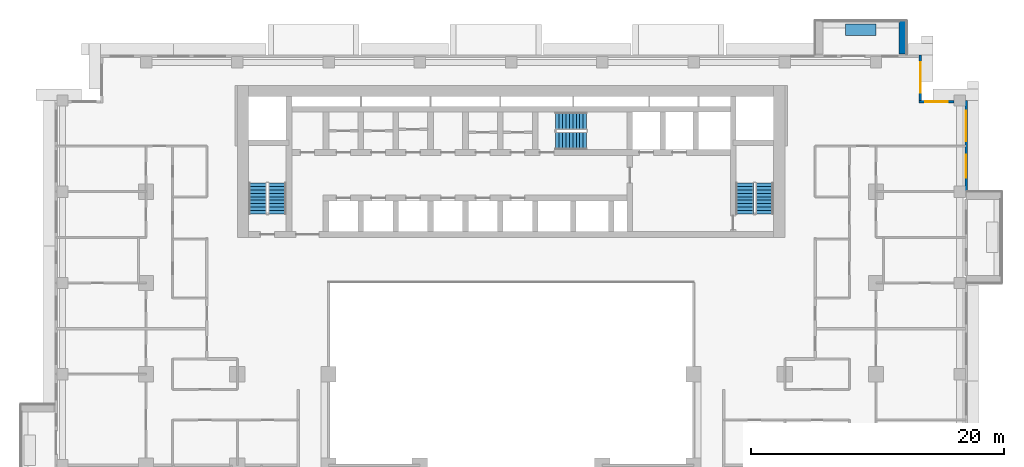
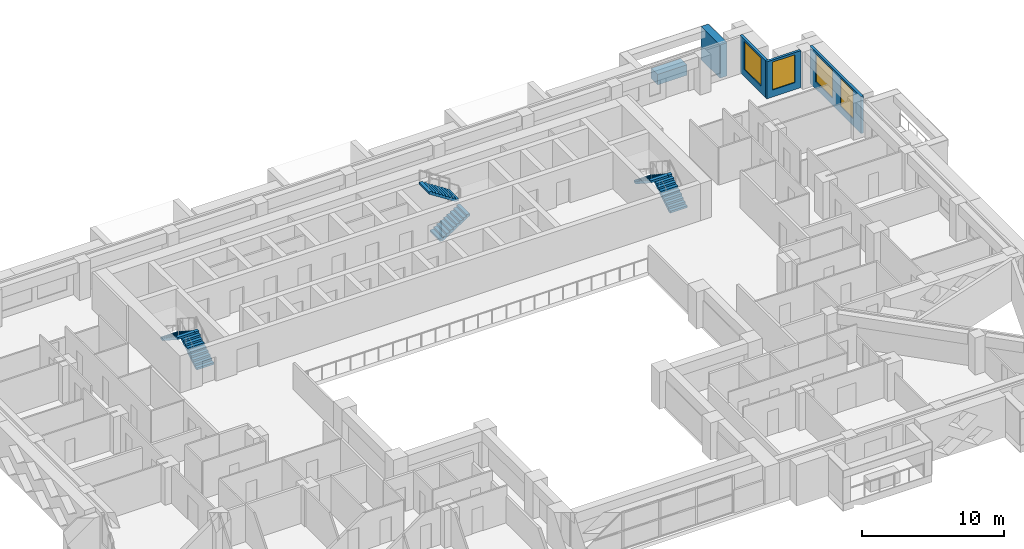
# One storey, part 13 of 17: 6 stair flights, 5 walls, 4 windows, 4 openings, 3 elements without a shape of their own.
"""IFC4 building model written with IfcOpenShell, lengths in metres."""

import ifcopenshell
import ifcopenshell.guid

model = None  # the IFC model being written
_history = None  # IfcOwnerHistory: only IFC2X3 demands one
_inside = {}  # id of a spatial element -> (the spatial element, [elements in it])
_under = {}  # id of a project, library or spatial element -> (it, [spatial elements below it])
_declared = {}  # id of a project -> (the project, [libraries it declares])
_typed = {}  # id of a type object -> (the type object, [elements of that type])
_made_of = {}  # id of a material, layer set ... -> (it, [elements and type objects made of it])


def new_model(schema):
    """Start an empty IFC model of exactly this schema.

    Asked for "IFC4X3", IfcOpenShell would pick the latest addendum, in which some entities
    have other attributes; the version numbers below select the first issue.
    IFC2X3 requires an IfcOwnerHistory on every rooted entity: one is made here for all.
    """
    global model, _history
    if schema == "IFC4X3":
        model = ifcopenshell.file(schema_version=(4, 3, 0, 0))
    else:
        model = ifcopenshell.file(schema=schema)
    _inside.clear()
    _under.clear()
    _declared.clear()
    _typed.clear()
    _made_of.clear()
    _history = None
    if model.schema == "IFC2X3":
        org = make("IfcOrganization", Name="unknown")
        user = make(
            "IfcPersonAndOrganization",
            ThePerson=make("IfcPerson", FamilyName="unknown"),
            TheOrganization=org,
        )
        app = make(
            "IfcApplication",
            ApplicationDeveloper=org,
            Version="unknown",
            ApplicationFullName="unknown",
            ApplicationIdentifier="unknown",
        )
        _history = make(
            "IfcOwnerHistory",
            OwningUser=user,
            OwningApplication=app,
            ChangeAction="ADDED",
            CreationDate=0,
        )
    return model


def make(cls, **values):
    """One entity of the class cls with the attributes given. An attribute that is None is left unset."""
    return model.create_entity(
        cls, **{name: value for name, value in values.items() if value is not None}
    )


def rooted(cls, **values):
    """An entity with a GlobalId (a new one), such as an element, a storey or a relation."""
    return make(cls, GlobalId=ifcopenshell.guid.new(), OwnerHistory=_history, **values)


def si_unit(unit_type, name, prefix=None):
    """IfcSIUnit, for example si_unit("LENGTHUNIT", "METRE", prefix="MILLI")."""
    return make("IfcSIUnit", UnitType=unit_type, Prefix=prefix, Name=name)


def assignment(units):
    """IfcUnitAssignment: the units of a project."""
    return None if units is None else make("IfcUnitAssignment", Units=units)


def point(xyz):
    """IfcCartesianPoint."""
    return None if xyz is None else make("IfcCartesianPoint", Coordinates=xyz)


def direction(xyz):
    """IfcDirection."""
    return None if xyz is None else make("IfcDirection", DirectionRatios=xyz)


def frame(location, z_axis=None, x_axis=None):
    """IfcAxis2Placement3D, a coordinate frame: its origin and axes. An axis left out is left unset."""
    return make(
        "IfcAxis2Placement3D",
        Location=point(location),
        Axis=direction(z_axis),
        RefDirection=direction(x_axis),
    )


def frame_2d(location, x_axis=None):
    """IfcAxis2Placement2D, a coordinate frame in the plane: its origin and x axis."""
    return make(
        "IfcAxis2Placement2D", Location=point(location), RefDirection=direction(x_axis)
    )


def origin():
    """The frame at (0, 0, 0) with its axes left unset."""
    return frame((0.0, 0.0, 0.0))


def place(relative_to, where):
    """IfcLocalPlacement: puts the frame where relative to a parent placement (None: the world)."""
    return make(
        "IfcLocalPlacement", PlacementRelTo=relative_to, RelativePlacement=where
    )


def context(
    kind, dimensions, precision=None, world=None, true_north=None, identifier=None
):
    """IfcGeometricRepresentationContext, for example the 3D "Model" context."""
    return make(
        "IfcGeometricRepresentationContext",
        ContextIdentifier=identifier,
        ContextType=kind,
        CoordinateSpaceDimension=dimensions,
        Precision=precision,
        WorldCoordinateSystem=world,
        TrueNorth=true_north,
    )


def subcontext(parent, identifier, kind, view, scale=None):
    """IfcGeometricRepresentationSubContext, for example "Body" below "Model"."""
    return make(
        "IfcGeometricRepresentationSubContext",
        ContextIdentifier=identifier,
        ContextType=kind,
        ParentContext=parent,
        TargetScale=scale,
        TargetView=view,
    )


def project(units=None, contexts=None):
    """IfcProject with its units and contexts."""
    return rooted(
        "IfcProject",
        Name="project",
        RepresentationContexts=contexts,
        UnitsInContext=assignment(units),
    )


def spatial(cls, under=None, at=None, **own):
    """A site, building, storey or space (cls), placed at a placement, below another one or the project."""
    s = rooted(cls, ObjectPlacement=at, **own)
    if under is not None:
        _under.setdefault(under.id(), (under, []))[1].append(s)
    return s


def polyline(points):
    """IfcPolyline through the points."""
    return make("IfcPolyline", Points=[point(p) for p in points])


def profile(cls, at=None, kind="AREA", **sizes):
    """A parametric profile (cls). Its sizes go by their IFC names, for example OverallWidth=200.0."""
    return make(cls, ProfileType=kind, Position=at, **sizes)


def rectangle(**sizes):
    """IfcRectangleProfileDef."""
    return profile("IfcRectangleProfileDef", **sizes)


def outline(outer, holes=None, kind="AREA"):
    """IfcArbitraryClosedProfileDef: a profile drawn as a closed curve; with holes, ...WithVoids."""
    if holes is None:
        return make("IfcArbitraryClosedProfileDef", ProfileType=kind, OuterCurve=outer)
    return make(
        "IfcArbitraryProfileDefWithVoids",
        ProfileType=kind,
        OuterCurve=outer,
        InnerCurves=holes,
    )


def extrude(swept, where, along, depth):
    """IfcExtrudedAreaSolid: the profile swept, set in the frame where, extruded along a direction by depth."""
    return make(
        "IfcExtrudedAreaSolid",
        SweptArea=swept,
        Position=where,
        ExtrudedDirection=direction(along),
        Depth=depth,
    )


def shape(context_of_items, identifier, shape_type, items):
    """IfcShapeRepresentation: the items that make up one representation, for example the "Body"."""
    return make(
        "IfcShapeRepresentation",
        ContextOfItems=context_of_items,
        RepresentationIdentifier=identifier,
        RepresentationType=shape_type,
        Items=items,
    )


def material(Name=None, Category=None):
    """IfcMaterial."""
    return make("IfcMaterial", Name=Name, Category=Category)


def layer(
    of_material, thickness, ventilated=None, Name=None, Category=None, Priority=None
):
    """IfcMaterialLayer: one layer of a wall or slab, of a material (None: an air gap)."""
    return make(
        "IfcMaterialLayer",
        Material=of_material,
        LayerThickness=thickness,
        IsVentilated=ventilated,
        Name=Name,
        Category=Category,
        Priority=Priority,
    )


def layer_set(layers, Name=None):
    """IfcMaterialLayerSet."""
    return make("IfcMaterialLayerSet", MaterialLayers=layers, LayerSetName=Name)


def made_of(thing, what):
    """Note that an element or type object is made of a material, layer set ...; save() writes the relation."""
    if what is not None:
        _made_of.setdefault(what.id(), (what, []))[1].append(thing)
    return thing


def type_object(cls, material=None, **own):
    """A type object (cls), such as IfcWallType, which elements share."""
    return made_of(rooted(cls, **own), material)


def element(
    cls,
    number,
    at=None,
    inside=None,
    cuts=None,
    type_object=None,
    material=None,
    context=None,
    identifier="Body",
    shape_type=None,
    held_by="IfcProductDefinitionShape",
    body=None,
    shapes=None,
    **own,
):
    """One element of the class cls, such as IfcWall. Its Tag is "e" and its number.

    at: its placement. inside: the storey or other place that contains it. cuts: it is an
    opening in that element (IfcRelVoidsElement). A single representation is given by context,
    identifier, shape_type and body (its items); several are given by shapes. held_by: the class
    of the entity that holds the representations. save() writes the other relations.
    """
    e = rooted(cls, Tag="e%d" % number, ObjectPlacement=at, **own)
    if body is not None:
        shapes = [shape(context, identifier, shape_type, body)]
    if shapes is not None:
        e.Representation = make(held_by, Representations=shapes)
    if inside is not None:
        _inside.setdefault(inside.id(), (inside, []))[1].append(e)
    if cuts is not None:
        rooted(
            "IfcRelVoidsElement", RelatingBuildingElement=cuts, RelatedOpeningElement=e
        )
    if type_object is not None:
        _typed.setdefault(type_object.id(), (type_object, []))[1].append(e)
    return made_of(e, material)


def fill(opening, filler):
    """IfcRelFillsElement: the door or window that sits in an opening."""
    return rooted(
        "IfcRelFillsElement",
        RelatingOpeningElement=opening,
        RelatedBuildingElement=filler,
    )


def aggregate(whole, parts):
    """IfcRelAggregates: a whole, such as a stair, and the parts it consists of."""
    return rooted("IfcRelAggregates", RelatingObject=whole, RelatedObjects=parts)


def save(model, path):
    """Write the relations noted so far, then the file.

    IfcRelAggregates (storeys below a building ...), IfcRelContainedInSpatialStructure (elements
    in a storey), IfcRelDefinesByType, IfcRelAssociatesMaterial and IfcRelDeclares: one each for
    every whole, place, type object, material and project.
    """
    for whole, parts in _under.values():
        aggregate(whole, parts)
    for where, things in _inside.values():
        rooted(
            "IfcRelContainedInSpatialStructure",
            RelatedElements=things,
            RelatingStructure=where,
        )
    for kind, things in _typed.values():
        rooted("IfcRelDefinesByType", RelatedObjects=things, RelatingType=kind)
    for what, things in _made_of.values():
        rooted("IfcRelAssociatesMaterial", RelatedObjects=things, RelatingMaterial=what)
    for by, libraries in _declared.values():
        rooted("IfcRelDeclares", RelatingContext=by, RelatedDefinitions=libraries)
    model.write(path)


model = new_model("IFC4")

# Units and contexts
model_context = context("Model", 3, precision=1e-05, world=origin(), true_north=direction((0.0, 1.0)))
body_context = subcontext(model_context, "Body", "Model", "MODEL_VIEW")
ifc_project = project(units=[si_unit("LENGTHUNIT", "METRE"), si_unit("AREAUNIT", "SQUARE_METRE"), si_unit("VOLUMEUNIT", "CUBIC_METRE"), si_unit("PLANEANGLEUNIT", "RADIAN"), si_unit("MASSUNIT", "GRAM", prefix="KILO")], contexts=[model_context])

# Site, building, storey
site_placement = place(None, origin())
site = spatial("IfcSite", under=ifc_project, at=site_placement, CompositionType="ELEMENT")
building_placement = place(site_placement, origin())
building = spatial("IfcBuilding", under=site, at=building_placement, Name="Saffron Iwan Residences", CompositionType="ELEMENT")
storey_placement = place(building_placement, frame((0.0, 0.0, 97.0)))
storey = spatial("IfcBuildingStorey", under=building, at=storey_placement, Name="L25", CompositionType="ELEMENT", Elevation=97.0)

# Walls
ifc_material_1 = material(Name="Concrete C50/60 white painted", Category="concrete")
ifc_layer_1 = layer(ifc_material_1, 0.60009765625)
ifc_layer_set_1 = layer_set([ifc_layer_1], Name="Concrete C50/60 white painted")
wall_type_1 = type_object("IfcWallType", Name="BALCONY FIN 600", PredefinedType="SOLIDWALL", material=ifc_layer_set_1)
wall_1_placement = place(storey_placement, frame((81.300048828125, 80.449951171875, 0.0), z_axis=(0.0, 0.0, 1.0), x_axis=(0.0, 1.0, 0.0)))
element("IfcWall", 1, at=wall_1_placement, inside=storey, type_object=wall_type_1, Name="Balcony fin L25 F5-0a", PredefinedType="SOLIDWALL", context=body_context, shape_type="SweptSolid", body=[
    extrude(rectangle(XDim=2.650146484375, YDim=0.60009765625, at=frame_2d((1.3251953125, 0.0))), origin(), (0.0, 0.0, 1.0), 2.85009765625),
])
ifc_material_2 = material(Name="Concrete C35/45 white painted", Category="concrete")
ifc_layer_2 = layer(ifc_material_2, 0.14990234375)
ifc_layer_set_2 = layer_set([ifc_layer_2], Name="Concrete C35/45 white painted")
wall_type_2 = type_object("IfcWallType", Name="BALCONY PLANTER", PredefinedType="SOLIDWALL", material=ifc_layer_set_2)
wall_2_placement = place(storey_placement, frame((79.199951171875, 82.375, 0.0), z_axis=(0.0, 0.0, 1.0), x_axis=(-1.0, 0.0, 0.0)))
element("IfcWall", 2, at=wall_2_placement, inside=storey, type_object=wall_type_2, Name="PLANTER L25 F5-0", PredefinedType="SOLIDWALL", context=body_context, shape_type="SweptSolid", body=[
    extrude(rectangle(XDim=2.39990234375, YDim=0.89990234375, at=frame_2d((1.199951171875, 0.0))), origin(), (0.0, 0.0, 1.0), 0.89990234375),
])

# Wall, openings, windows
ifc_material_3 = material(Name="Concrete C40/50", Category="concrete")
ifc_layer_3 = layer(ifc_material_3, 0.199951171875)
ifc_layer_set_3 = layer_set([ifc_layer_3], Name="Concrete C40/50")
wall_type_3 = type_object("IfcWallType", Name="EXTERNAL WALL 200", PredefinedType="SOLIDWALL", material=ifc_layer_set_3)
wall_3_placement = place(storey_placement, frame((86.300048828125, 69.60009765625, 0.0), z_axis=(0.0, 0.0, 1.0), x_axis=(0.0, 1.0, 0.0)))
wall_3 = element("IfcWall", 3, at=wall_3_placement, inside=storey, type_object=wall_type_3, Name="External wall L25 F2.2", PredefinedType="SOLIDWALL", context=body_context, shape_type="SweptSolid", body=[
    extrude(rectangle(XDim=7.199951171875, YDim=0.199951171875, at=frame_2d((3.60009765625, 0.0))), origin(), (0.0, 0.0, 1.0), 3.179931640625),
])
opening_1_placement = place(wall_3_placement, frame((1.10009765625, 0.0, 0.60009765625)))
opening_1 = element("IfcOpeningElement", 4, at=opening_1_placement, cuts=wall_3, Name="Opening W8", PredefinedType="OPENING", context=body_context, shape_type="SweptSolid", body=[
    extrude(rectangle(XDim=1.800048828125, YDim=2.39990234375, at=frame_2d((0.89990234375, 1.199951171875))), frame((0.0, 0.10986328125, 0.0), z_axis=(0.0, -1.0, 0.0), x_axis=(1.0, 0.0, 0.0)), (0.0, 0.0, 1.0), 0.219970703125),
])
opening_2_placement = place(wall_3_placement, frame((4.0, 0.0, 0.60009765625)))
opening_2 = element("IfcOpeningElement", 5, at=opening_2_placement, cuts=wall_3, Name="Opening W1", PredefinedType="OPENING", context=body_context, shape_type="SweptSolid", body=[
    extrude(rectangle(XDim=2.39990234375, YDim=2.39990234375, at=frame_2d((1.199951171875, 1.199951171875))), frame((0.0, 0.10986328125, 0.0), z_axis=(0.0, -1.0, 0.0), x_axis=(1.0, 0.0, 0.0)), (0.0, 0.0, 1.0), 0.219970703125),
])
ifc_material_4 = material(Name="Clear glass, laminated double glazed", Category="glass")
window_type_1 = type_object("IfcWindowType", Name="WINDOW 1800 x 2400", PartitioningType="DOUBLE_PANEL_VERTICAL", PredefinedType="WINDOW", material=ifc_material_4)
window_1_placement = place(opening_1_placement, origin())
window_1 = element("IfcWindow", 6, at=window_1_placement, inside=storey, type_object=window_type_1, Name="Window L25 F2.0", OverallHeight=2.39990234375, OverallWidth=1.800048828125, PartitioningType="DOUBLE_PANEL_VERTICAL", PredefinedType="WINDOW", context=body_context, shape_type="SweptSolid", body=[
    extrude(rectangle(XDim=1.800048828125, YDim=2.39990234375, at=frame_2d((0.89990234375, 1.199951171875))), frame((0.0, 0.030029296875, 0.0), z_axis=(0.0, -1.0, 0.0), x_axis=(1.0, 0.0, 0.0)), (0.0, 0.0, 1.0), 0.06005859375),
])
fill(opening_1, window_1)
window_type_2 = type_object("IfcWindowType", Name="WINDOW 2400 x 2400", PartitioningType="DOUBLE_PANEL_VERTICAL", PredefinedType="WINDOW", material=ifc_material_4)
window_2_placement = place(opening_2_placement, origin())
window_2 = element("IfcWindow", 7, at=window_2_placement, inside=storey, type_object=window_type_2, Name="Window L25 F2.1", OverallHeight=2.39990234375, OverallWidth=2.39990234375, PartitioningType="DOUBLE_PANEL_VERTICAL", PredefinedType="WINDOW", context=body_context, shape_type="SweptSolid", body=[
    extrude(rectangle(XDim=2.39990234375, YDim=2.39990234375, at=frame_2d((1.199951171875, 1.199951171875))), frame((0.0, 0.030029296875, 0.0), z_axis=(0.0, -1.0, 0.0), x_axis=(1.0, 0.0, 0.0)), (0.0, 0.0, 1.0), 0.06005859375),
])
fill(opening_2, window_2)

# Wall, opening, window
wall_4_placement = place(storey_placement, frame((85.35009765625, 76.699951171875, 0.0), z_axis=(0.0, 0.0, 1.0), x_axis=(-1.0, 0.0, 0.0)))
wall_4 = element("IfcWall", 8, at=wall_4_placement, inside=storey, type_object=wall_type_3, Name="External wall L25 F3.0", PredefinedType="SOLIDWALL", context=body_context, shape_type="SweptSolid", body=[
    extrude(rectangle(XDim=2.75, YDim=0.199951171875, at=frame_2d((1.375, 0.0))), origin(), (0.0, 0.0, 1.0), 3.179931640625),
])
opening_3_placement = place(wall_4_placement, frame((0.47509765625, 0.0, 0.60009765625)))
opening_3 = element("IfcOpeningElement", 9, at=opening_3_placement, cuts=wall_4, Name="Opening W8", PredefinedType="OPENING", context=body_context, shape_type="SweptSolid", body=[
    extrude(rectangle(XDim=1.800048828125, YDim=2.39990234375, at=frame_2d((0.89990234375, 1.199951171875))), frame((0.0, 0.10986328125, 0.0), z_axis=(0.0, -1.0, 0.0), x_axis=(1.0, 0.0, 0.0)), (0.0, 0.0, 1.0), 0.219970703125),
])
window_3_placement = place(opening_3_placement, origin())
window_3 = element("IfcWindow", 10, at=window_3_placement, inside=storey, type_object=window_type_1, Name="Window L25 F3.0", OverallHeight=2.39990234375, OverallWidth=1.800048828125, PartitioningType="DOUBLE_PANEL_VERTICAL", PredefinedType="WINDOW", context=body_context, shape_type="SweptSolid", body=[
    extrude(rectangle(XDim=1.800048828125, YDim=2.39990234375, at=frame_2d((0.89990234375, 1.199951171875))), frame((0.0, 0.030029296875, 0.0), z_axis=(0.0, -1.0, 0.0), x_axis=(1.0, 0.0, 0.0)), (0.0, 0.0, 1.0), 0.06005859375),
])
fill(opening_3, window_3)

wall_5_placement = place(storey_placement, frame((82.699951171875, 76.800048828125, 0.0), z_axis=(0.0, 0.0, 1.0), x_axis=(0.0, 1.0, 0.0)))
wall_5 = element("IfcWall", 11, at=wall_5_placement, inside=storey, type_object=wall_type_3, Name="External wall L25 F4.0", PredefinedType="SOLIDWALL", context=body_context, shape_type="SweptSolid", body=[
    extrude(rectangle(XDim=3.599853515625, YDim=0.199951171875, at=frame_2d((1.7998046875, 0.0))), origin(), (0.0, 0.0, 1.0), 3.179931640625),
])
opening_4_placement = place(wall_5_placement, frame((0.60009765625, 0.0, 0.60009765625)))
opening_4 = element("IfcOpeningElement", 12, at=opening_4_placement, cuts=wall_5, Name="Opening W1", PredefinedType="OPENING", context=body_context, shape_type="SweptSolid", body=[
    extrude(rectangle(XDim=2.39990234375, YDim=2.39990234375, at=frame_2d((1.199951171875, 1.199951171875))), frame((0.0, 0.10986328125, 0.0), z_axis=(0.0, -1.0, 0.0), x_axis=(1.0, 0.0, 0.0)), (0.0, 0.0, 1.0), 0.219970703125),
])
window_4_placement = place(opening_4_placement, origin())
window_4 = element("IfcWindow", 13, at=window_4_placement, inside=storey, type_object=window_type_2, Name="Window L25 F4.0", OverallHeight=2.39990234375, OverallWidth=2.39990234375, PartitioningType="DOUBLE_PANEL_VERTICAL", PredefinedType="WINDOW", context=body_context, shape_type="SweptSolid", body=[
    extrude(rectangle(XDim=2.39990234375, YDim=2.39990234375, at=frame_2d((1.199951171875, 1.199951171875))), frame((0.0, 0.030029296875, 0.0), z_axis=(0.0, -1.0, 0.0), x_axis=(1.0, 0.0, 0.0)), (0.0, 0.0, 1.0), 0.06005859375),
])
fill(opening_4, window_4)

# Stair, stair flights
ifc_material_5 = material(Name="Concrete C50/60", Category="concrete")
stair_type = type_object("IfcStairType", Name="Stair ST-CORE", PredefinedType="HALF_TURN_STAIR", material=ifc_material_5)
stair_1_placement = place(storey_placement, origin())
stair_1 = element("IfcStair", 14, at=stair_1_placement, inside=storey, type_object=stair_type, Name="L25 Exit Stair ST-W", PredefinedType="HALF_TURN_STAIR")
ifc_layer_4 = layer(ifc_material_5, 0.14990234375)
ifc_layer_set_4 = layer_set([ifc_layer_4], Name="Concrete C50/60")
stair_flight_type = type_object("IfcStairFlightType", Name="Stair flight SFL-RC", PredefinedType="STRAIGHT", material=ifc_layer_set_4)
stair_flight_1_placement = place(storey_placement, frame((31.949951171875, 67.85009765625, 0.0), z_axis=(0.0, 0.0, 1.0), x_axis=(0.0, 1.0, 0.0)))
stair_flight_1 = element("IfcStairFlight", 15, at=stair_flight_1_placement, type_object=stair_flight_type, Name="ST-W flight 1", NumberOfRisers=10, NumberOfTreads=9, PredefinedType="STRAIGHT", RiserHeight=0.175, TreadLength=0.27, context=body_context, shape_type="SweptSolid", body=[
    extrude(outline(polyline([(0.0, 0.0), (0.0, 0.175048828125), (0.27001953125, 0.175048828125), (0.27001953125, 0.35009765625), (0.5400390625, 0.35009765625), (0.5400390625, 0.52490234375), (0.81005859375, 0.52490234375), (0.81005859375, 0.699951171875), (1.080078125, 0.699951171875), (1.080078125, 0.875), (1.35009765625, 0.875), (1.35009765625, 1.050048828125), (1.6201171875, 1.050048828125), (1.6201171875, 1.22509765625), (1.889892578125, 1.22509765625), (1.889892578125, 1.39990234375), (2.159912109375, 1.39990234375), (2.159912109375, 1.574951171875), (2.429931640625, 1.574951171875), (2.429931640625, 1.75), (2.429931640625, 1.396484375), (0.275634765625, 0.0), (0.0, 0.0)])), frame((0.0, 0.699951171875, 0.0), z_axis=(0.0, -1.0, 0.0), x_axis=(1.0, 0.0, 0.0)), (0.0, 0.0, 1.0), 1.39990234375),
])
stair_flight_2_placement = place(storey_placement, frame((30.39990234375, 70.280029296875, 1.75), z_axis=(0.0, 0.0, 1.0), x_axis=(0.0, -1.0, 0.0)))
stair_flight_2 = element("IfcStairFlight", 16, at=stair_flight_2_placement, type_object=stair_flight_type, Name="ST-W flight 2", NumberOfRisers=10, NumberOfTreads=9, PredefinedType="STRAIGHT", RiserHeight=0.175, TreadLength=0.27, context=body_context, shape_type="SweptSolid", body=[
    extrude(outline(polyline([(0.0, 0.0), (0.0, 0.175048828125), (0.27001953125, 0.175048828125), (0.27001953125, 0.35009765625), (0.5400390625, 0.35009765625), (0.5400390625, 0.52490234375), (0.81005859375, 0.52490234375), (0.81005859375, 0.699951171875), (1.080078125, 0.699951171875), (1.080078125, 0.875), (1.35009765625, 0.875), (1.35009765625, 1.050048828125), (1.6201171875, 1.050048828125), (1.6201171875, 1.22509765625), (1.889892578125, 1.22509765625), (1.889892578125, 1.39990234375), (2.159912109375, 1.39990234375), (2.159912109375, 1.574951171875), (2.429931640625, 1.574951171875), (2.429931640625, 1.75), (2.429931640625, 1.396484375), (0.275634765625, 0.0), (0.0, 0.0)])), frame((0.0, 0.699951171875, 0.0), z_axis=(0.0, -1.0, 0.0), x_axis=(1.0, 0.0, 0.0)), (0.0, 0.0, 1.0), 1.39990234375),
])
aggregate(stair_1, [stair_flight_1, stair_flight_2])

stair_2_placement = place(storey_placement, origin())
stair_2 = element("IfcStair", 17, at=stair_2_placement, inside=storey, type_object=stair_type, Name="L25 Exit Stair ST-C", PredefinedType="HALF_TURN_STAIR")
stair_flight_3_placement = place(storey_placement, frame((53.925048828125, 73.625, 0.0), z_axis=(0.0, 0.0, 1.0), x_axis=(1.0, 0.0, 0.0)))
stair_flight_3 = element("IfcStairFlight", 18, at=stair_flight_3_placement, type_object=stair_flight_type, Name="ST-C flight 1", NumberOfRisers=10, NumberOfTreads=9, PredefinedType="STRAIGHT", RiserHeight=0.175, TreadLength=0.27, context=body_context, shape_type="SweptSolid", body=[
    extrude(outline(polyline([(0.0, 0.0), (0.0, 0.175048828125), (0.27001953125, 0.175048828125), (0.27001953125, 0.35009765625), (0.5400390625, 0.35009765625), (0.5400390625, 0.52490234375), (0.81005859375, 0.52490234375), (0.81005859375, 0.699951171875), (1.080078125, 0.699951171875), (1.080078125, 0.875), (1.35009765625, 0.875), (1.35009765625, 1.050048828125), (1.6201171875, 1.050048828125), (1.6201171875, 1.22509765625), (1.889892578125, 1.22509765625), (1.889892578125, 1.39990234375), (2.159912109375, 1.39990234375), (2.159912109375, 1.574951171875), (2.429931640625, 1.574951171875), (2.429931640625, 1.75), (2.429931640625, 1.396484375), (0.275634765625, 0.0), (0.0, 0.0)])), frame((0.0, 0.699951171875, 0.0), z_axis=(0.0, -1.0, 0.0), x_axis=(1.0, 0.0, 0.0)), (0.0, 0.0, 1.0), 1.39990234375),
])
stair_flight_4_placement = place(storey_placement, frame((56.35498046875, 75.175048828125, 1.75), z_axis=(0.0, 0.0, 1.0), x_axis=(-1.0, 0.0, 0.0)))
stair_flight_4 = element("IfcStairFlight", 19, at=stair_flight_4_placement, type_object=stair_flight_type, Name="ST-C flight 2", NumberOfRisers=10, NumberOfTreads=9, PredefinedType="STRAIGHT", RiserHeight=0.175, TreadLength=0.27, context=body_context, shape_type="SweptSolid", body=[
    extrude(outline(polyline([(0.0, 0.0), (0.0, 0.175048828125), (0.27001953125, 0.175048828125), (0.27001953125, 0.35009765625), (0.5400390625, 0.35009765625), (0.5400390625, 0.52490234375), (0.81005859375, 0.52490234375), (0.81005859375, 0.699951171875), (1.080078125, 0.699951171875), (1.080078125, 0.875), (1.35009765625, 0.875), (1.35009765625, 1.050048828125), (1.6201171875, 1.050048828125), (1.6201171875, 1.22509765625), (1.889892578125, 1.22509765625), (1.889892578125, 1.39990234375), (2.159912109375, 1.39990234375), (2.159912109375, 1.574951171875), (2.429931640625, 1.574951171875), (2.429931640625, 1.75), (2.429931640625, 1.396484375), (0.275634765625, 0.0), (0.0, 0.0)])), frame((0.0, 0.699951171875, 0.0), z_axis=(0.0, -1.0, 0.0), x_axis=(1.0, 0.0, 0.0)), (0.0, 0.0, 1.0), 1.39990234375),
])
aggregate(stair_2, [stair_flight_3, stair_flight_4])

stair_3_placement = place(storey_placement, origin())
stair_3 = element("IfcStair", 20, at=stair_3_placement, inside=storey, type_object=stair_type, Name="L25 Exit Stair ST-E", PredefinedType="HALF_TURN_STAIR")
stair_flight_5_placement = place(storey_placement, frame((70.39990234375, 67.85009765625, 0.0), z_axis=(0.0, 0.0, 1.0), x_axis=(0.0, 1.0, 0.0)))
stair_flight_5 = element("IfcStairFlight", 21, at=stair_flight_5_placement, type_object=stair_flight_type, Name="ST-E flight 1", NumberOfRisers=10, NumberOfTreads=9, PredefinedType="STRAIGHT", RiserHeight=0.175, TreadLength=0.27, context=body_context, shape_type="SweptSolid", body=[
    extrude(outline(polyline([(0.0, 0.0), (0.0, 0.175048828125), (0.27001953125, 0.175048828125), (0.27001953125, 0.35009765625), (0.5400390625, 0.35009765625), (0.5400390625, 0.52490234375), (0.81005859375, 0.52490234375), (0.81005859375, 0.699951171875), (1.080078125, 0.699951171875), (1.080078125, 0.875), (1.35009765625, 0.875), (1.35009765625, 1.050048828125), (1.6201171875, 1.050048828125), (1.6201171875, 1.22509765625), (1.889892578125, 1.22509765625), (1.889892578125, 1.39990234375), (2.159912109375, 1.39990234375), (2.159912109375, 1.574951171875), (2.429931640625, 1.574951171875), (2.429931640625, 1.75), (2.429931640625, 1.396484375), (0.275634765625, 0.0), (0.0, 0.0)])), frame((0.0, 0.699951171875, 0.0), z_axis=(0.0, -1.0, 0.0), x_axis=(1.0, 0.0, 0.0)), (0.0, 0.0, 1.0), 1.39990234375),
])
stair_flight_6_placement = place(storey_placement, frame((68.85009765625, 70.280029296875, 1.75), z_axis=(0.0, 0.0, 1.0), x_axis=(0.0, -1.0, 0.0)))
stair_flight_6 = element("IfcStairFlight", 22, at=stair_flight_6_placement, type_object=stair_flight_type, Name="ST-E flight 2", NumberOfRisers=10, NumberOfTreads=9, PredefinedType="STRAIGHT", RiserHeight=0.175, TreadLength=0.27, context=body_context, shape_type="SweptSolid", body=[
    extrude(outline(polyline([(0.0, 0.0), (0.0, 0.175048828125), (0.27001953125, 0.175048828125), (0.27001953125, 0.35009765625), (0.5400390625, 0.35009765625), (0.5400390625, 0.52490234375), (0.81005859375, 0.52490234375), (0.81005859375, 0.699951171875), (1.080078125, 0.699951171875), (1.080078125, 0.875), (1.35009765625, 0.875), (1.35009765625, 1.050048828125), (1.6201171875, 1.050048828125), (1.6201171875, 1.22509765625), (1.889892578125, 1.22509765625), (1.889892578125, 1.39990234375), (2.159912109375, 1.39990234375), (2.159912109375, 1.574951171875), (2.429931640625, 1.574951171875), (2.429931640625, 1.75), (2.429931640625, 1.396484375), (0.275634765625, 0.0), (0.0, 0.0)])), frame((0.0, 0.699951171875, 0.0), z_axis=(0.0, -1.0, 0.0), x_axis=(1.0, 0.0, 0.0)), (0.0, 0.0, 1.0), 1.39990234375),
])
aggregate(stair_3, [stair_flight_5, stair_flight_6])

save(model, "model.ifc")
